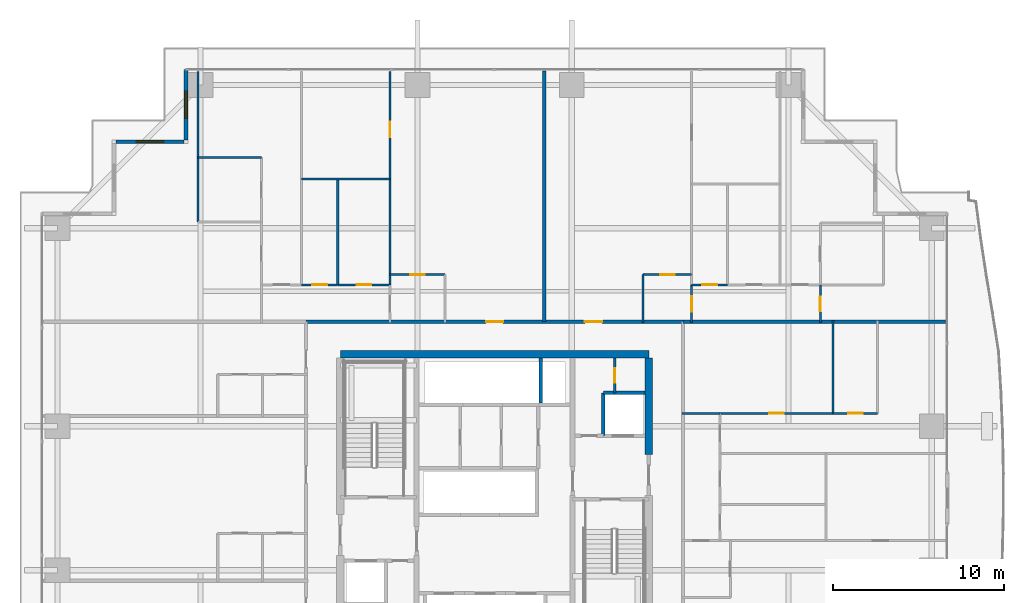
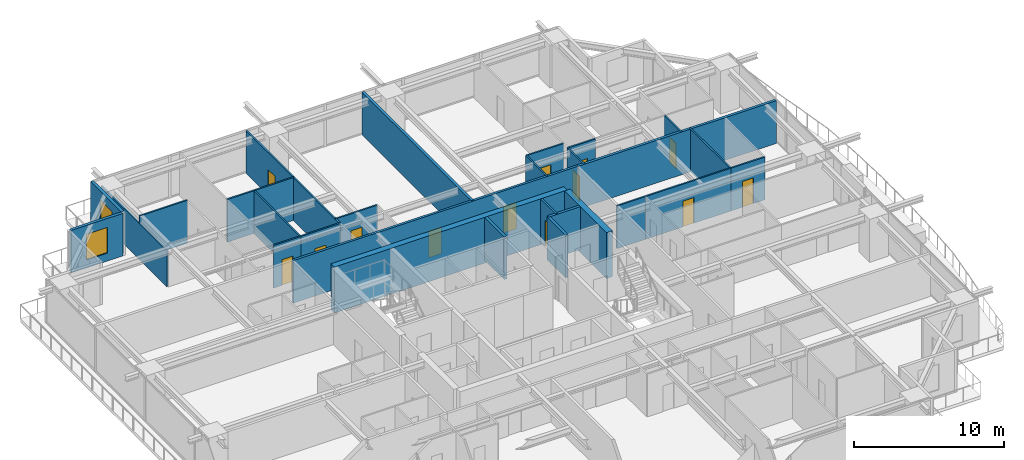
# One storey, part 31 of 39: 29 walls, 13 doors, 2 windows, 15 openings.
"""IFC4 building model written with IfcOpenShell, lengths in metres."""

from ifc_helpers import new_model, si_unit, direction, frame, frame_2d, origin, place, context, subcontext, project, spatial, rectangle, extrude, source, transform, mapped, material, layer, layer_set, type_object, element, fill, save


model = new_model("IFC4")

# Units and contexts
model_context = context("Model", 3, precision=1e-05, world=origin(), true_north=direction((0.0, 1.0)))
body_context = subcontext(model_context, "Body", "Model", "MODEL_VIEW")
ifc_project = project(units=[si_unit("LENGTHUNIT", "METRE"), si_unit("AREAUNIT", "SQUARE_METRE"), si_unit("VOLUMEUNIT", "CUBIC_METRE"), si_unit("PLANEANGLEUNIT", "RADIAN"), si_unit("MASSUNIT", "GRAM", prefix="KILO")], contexts=[model_context])

# Site, building, storey
site_placement = place(None, origin())
site = spatial("IfcSite", under=ifc_project, at=site_placement, CompositionType="ELEMENT")
building_placement = place(site_placement, origin())
building = spatial("IfcBuilding", under=site, at=building_placement, Name="Serunith Strait Residences", CompositionType="ELEMENT")
storey_placement = place(building_placement, frame((0.0, 0.0, 79.199951171875)))
storey = spatial("IfcBuildingStorey", under=building, at=storey_placement, Name="L19", CompositionType="ELEMENT", Elevation=79.199951171875)

# Wall, opening, window
ifc_material_1 = material(Name="Pale-Champagne Aluminium Insulated Panel", Category="aluminium")
ifc_layer_1 = layer(ifc_material_1, 0.219970703125, Name="Pale-Champagne Aluminium Insulated Panel")
ifc_layer_set_1 = layer_set([ifc_layer_1], Name="Pale-Champagne Aluminium Insulated Panel")
wall_type_1 = type_object("IfcWallType", Name="EW-ALUM-220", PredefinedType="ELEMENTEDWALL", material=ifc_layer_set_1)
wall_1_placement = place(storey_placement, frame((14.39990234375, 50.199951171875, 0.0), z_axis=(0.0, 0.0, 1.0), x_axis=(0.0, -1.0, 0.0)))
wall_1 = element("IfcWall", 1, at=wall_1_placement, inside=storey, type_object=wall_type_1, Name="L19 Girih Serrated Corner Wall 12", PredefinedType="ELEMENTEDWALL", context=body_context, shape_type="SweptSolid", body=[
    extrude(rectangle(XDim=4.08984375, YDim=0.219970703125, at=frame_2d((2.044921875, 0.0))), origin(), (0.0, 0.0, 1.0), 3.47509765625),
])
opening_1_placement = place(wall_1_placement, frame((1.2451171875, 0.0, 0.64990234375)))
opening_1 = element("IfcOpeningElement", 2, at=opening_1_placement, cuts=wall_1, Name="Opening W-02", PredefinedType="OPENING", context=body_context, shape_type="SweptSolid", body=[
    extrude(rectangle(XDim=1.60009765625, YDim=2.10009765625, at=frame_2d((0.800048828125, 1.050048828125))), frame((0.0, 0.1201171875, 0.0), z_axis=(0.0, -1.0, 0.0), x_axis=(1.0, 0.0, 0.0)), (0.0, 0.0, 1.0), 0.239990234375),
])
ifc_material_2 = material(Name="Ceramic-Fritted Operable Aluminium Window Glass", Category="aluminium")
window_type = type_object("IfcWindowType", Name="WIN-C2", PartitioningType="DOUBLE_PANEL_VERTICAL", PredefinedType="WINDOW", material=ifc_material_2)
shared_shape_1 = source(origin(), body_context, "Body", "SweptSolid", [
    extrude(rectangle(XDim=1.60009765625, YDim=2.10009765625, at=frame_2d((0.800048828125, 1.050048828125))), frame((0.0, 0.030029296875, 0.0), z_axis=(0.0, -1.0, 0.0), x_axis=(1.0, 0.0, 0.0)), (0.0, 0.0, 1.0), 0.06005859375),
])
window_1_placement = place(opening_1_placement, origin())
window_1 = element("IfcWindow", 3, at=window_1_placement, inside=storey, type_object=window_type, Name="L19 Corner Operable Fritted Window 12", OverallHeight=2.10009765625, OverallWidth=1.60009765625, PartitioningType="SINGLE_PANEL", PredefinedType="WINDOW", context=body_context, shape_type="MappedRepresentation", body=[
    mapped(shared_shape_1, transform((0.0, 0.0, 0.0), scale=1.0)),
])
fill(opening_1, window_1)

wall_2_placement = place(storey_placement, frame((14.2900390625, 46.0, 0.0), z_axis=(0.0, 0.0, 1.0), x_axis=(-1.0, 0.0, 0.0)))
wall_2 = element("IfcWall", 4, at=wall_2_placement, inside=storey, type_object=wall_type_1, Name="L19 Girih Serrated Corner Wall 13", PredefinedType="ELEMENTEDWALL", context=body_context, shape_type="SweptSolid", body=[
    extrude(rectangle(XDim=3.97998046875, YDim=0.219970703125, at=frame_2d((1.989990234375, 0.0))), origin(), (0.0, 0.0, 1.0), 3.47509765625),
])
opening_2_placement = place(wall_2_placement, frame((1.18994140625, 0.0, 0.64990234375)))
opening_2 = element("IfcOpeningElement", 5, at=opening_2_placement, cuts=wall_2, Name="Opening W-02", PredefinedType="OPENING", context=body_context, shape_type="SweptSolid", body=[
    extrude(rectangle(XDim=1.60009765625, YDim=2.10009765625, at=frame_2d((0.800048828125, 1.050048828125))), frame((0.0, 0.1201171875, 0.0), z_axis=(0.0, -1.0, 0.0), x_axis=(1.0, 0.0, 0.0)), (0.0, 0.0, 1.0), 0.239990234375),
])
window_2_placement = place(opening_2_placement, origin())
window_2 = element("IfcWindow", 6, at=window_2_placement, inside=storey, type_object=window_type, Name="L19 Corner Operable Fritted Window 13", OverallHeight=2.10009765625, OverallWidth=1.60009765625, PartitioningType="SINGLE_PANEL", PredefinedType="WINDOW", context=body_context, shape_type="MappedRepresentation", body=[
    mapped(shared_shape_1, transform((0.0, 0.0, 0.0), scale=1.0)),
])
fill(opening_2, window_2)

# Wall, opening, door
ifc_material_3 = material(Name="Fire-rated masonry service closet wall", Category="masonry")
ifc_layer_2 = layer(ifc_material_3, 0.14990234375, Name="Fire-rated masonry service closet wall")
ifc_layer_set_2 = layer_set([ifc_layer_2], Name="Fire-rated masonry service closet wall")
wall_type_2 = type_object("IfcWallType", Name="IW-BOH-150", PredefinedType="PARTITIONING", material=ifc_layer_set_2)
wall_3_placement = place(storey_placement, frame((39.39990234375, 31.35009765625, 0.0), z_axis=(0.0, 0.0, 1.0), x_axis=(0.0, 1.0, 0.0)))
wall_3 = element("IfcWall", 7, at=wall_3_placement, inside=storey, type_object=wall_type_2, Name="L19 Partition Wall 013", PredefinedType="PARTITIONING", context=body_context, shape_type="SweptSolid", body=[
    extrude(rectangle(XDim=2.02490234375, YDim=0.14990234375, at=frame_2d((1.012451171875, 0.0))), origin(), (0.0, 0.0, 1.0), 3.489990234375),
])
opening_3_placement = place(wall_3_placement, frame((0.5869140625, 0.0, 0.0)))
opening_3 = element("IfcOpeningElement", 8, at=opening_3_placement, cuts=wall_3, Name="Opening FD-850", PredefinedType="OPENING", context=body_context, shape_type="SweptSolid", body=[
    extrude(rectangle(XDim=0.85009765625, YDim=2.10009765625, at=frame_2d((0.425048828125, 1.050048828125))), frame((0.0, 0.0849609375, 0.0), z_axis=(0.0, -1.0, 0.0), x_axis=(1.0, 0.0, 0.0)), (0.0, 0.0, 1.0), 0.169921875),
])
ifc_material_4 = material(Name="Powder-coated steel service closet door", Category="steel")
door_type_1 = type_object("IfcDoorType", Name="FD-BOH-850", OperationType="NOTDEFINED", PredefinedType="DOOR", material=ifc_material_4)
shared_shape_2 = source(origin(), body_context, "Body", "SweptSolid", [
    extrude(rectangle(XDim=0.85009765625, YDim=2.10009765625, at=frame_2d((0.425048828125, 1.050048828125))), frame((0.0, 0.02490234375, 0.0), z_axis=(0.0, -1.0, 0.0), x_axis=(1.0, 0.0, 0.0)), (0.0, 0.0, 1.0), 0.050048828125),
])
door_1_placement = place(opening_3_placement, origin())
door_1 = element("IfcDoor", 9, at=door_1_placement, inside=storey, type_object=door_type_1, Name="L19 Janitor Store Door", OperationType="SINGLE_SWING_RIGHT", OverallHeight=2.10009765625, OverallWidth=0.85009765625, PredefinedType="DOOR", context=body_context, shape_type="MappedRepresentation", body=[
    mapped(shared_shape_2, transform((0.0, 0.0, 0.0), scale=1.0)),
])
fill(opening_3, door_1)

# Wall, openings, doors
ifc_material_5 = material(Name="Fire-rated acoustic gypsum partition")
ifc_layer_3 = layer(ifc_material_5, 0.179931640625, Name="Fire-rated acoustic gypsum partition")
ifc_layer_set_3 = layer_set([ifc_layer_3], Name="Fire-rated acoustic gypsum partition")
wall_type_3 = type_object("IfcWallType", Name="IW-CORR-180", PredefinedType="PARTITIONING", material=ifc_layer_set_3)
wall_4_placement = place(storey_placement, frame((21.402099609375, 35.5, 0.0), z_axis=(0.0, 0.0, 1.0), x_axis=(1.0, 0.0, 0.0)))
wall_4 = element("IfcWall", 10, at=wall_4_placement, inside=storey, type_object=wall_type_3, Name="L19 Partition Wall 026", PredefinedType="PARTITIONING", context=body_context, shape_type="SweptSolid", body=[
    extrude(rectangle(XDim=21.995849609375, YDim=0.179931640625, at=frame_2d((10.998046875, 0.0))), origin(), (0.0, 0.0, 1.0), 3.489990234375),
])
opening_4_placement = place(wall_4_placement, frame((10.498046875, 0.0, 0.0)))
opening_4 = element("IfcOpeningElement", 11, at=opening_4_placement, cuts=wall_4, Name="Opening D-APT1000", PredefinedType="OPENING", context=body_context, shape_type="SweptSolid", body=[
    extrude(rectangle(XDim=1.0, YDim=2.14990234375, at=frame_2d((0.5, 1.074951171875))), frame((0.0, 0.10009765625, 0.0), z_axis=(0.0, -1.0, 0.0), x_axis=(1.0, 0.0, 0.0)), (0.0, 0.0, 1.0), 0.199951171875),
])
opening_5_placement = place(wall_4_placement, frame((16.27197265625, 0.0, 0.0)))
opening_5 = element("IfcOpeningElement", 12, at=opening_5_placement, cuts=wall_4, Name="Opening D-APT1000", PredefinedType="OPENING", context=body_context, shape_type="SweptSolid", body=[
    extrude(rectangle(XDim=1.0, YDim=2.14990234375, at=frame_2d((0.5, 1.074951171875))), frame((0.0, 0.10009765625, 0.0), z_axis=(0.0, -1.0, 0.0), x_axis=(1.0, 0.0, 0.0)), (0.0, 0.0, 1.0), 0.199951171875),
])
ifc_material_6 = material(Name="Solid timber engineered fire door", Category="wood")
door_type_2 = type_object("IfcDoorType", Name="ID-APT-1000", OperationType="NOTDEFINED", PredefinedType="DOOR", material=ifc_material_6)
shared_shape_3 = source(origin(), body_context, "Body", "SweptSolid", [
    extrude(rectangle(XDim=1.0, YDim=2.14990234375, at=frame_2d((0.5, 1.074951171875))), frame((0.0, 0.02490234375, 0.0), z_axis=(0.0, -1.0, 0.0), x_axis=(1.0, 0.0, 0.0)), (0.0, 0.0, 1.0), 0.050048828125),
])
door_2_placement = place(opening_4_placement, origin())
door_2 = element("IfcDoor", 13, at=door_2_placement, inside=storey, type_object=door_type_2, Name="L19 Unit 03 Entrance Door", OperationType="SINGLE_SWING_RIGHT", OverallHeight=2.14990234375, OverallWidth=1.0, PredefinedType="DOOR", context=body_context, shape_type="MappedRepresentation", body=[
    mapped(shared_shape_3, transform((0.0, 0.0, 0.0), scale=1.0)),
])
fill(opening_4, door_2)
door_3_placement = place(opening_5_placement, origin())
door_3 = element("IfcDoor", 14, at=door_3_placement, inside=storey, type_object=door_type_2, Name="L19 Unit 04 Entrance Door", OperationType="SINGLE_SWING_LEFT", OverallHeight=2.14990234375, OverallWidth=1.0, PredefinedType="DOOR", context=body_context, shape_type="MappedRepresentation", body=[
    mapped(shared_shape_3, transform((0.0, 0.0, 0.0), scale=1.0)),
])
fill(opening_5, door_3)

# Wall, opening, door
ifc_material_7 = material(Name="Lightweight steel-stud gypsum partition", Category="steel")
ifc_layer_4 = layer(ifc_material_7, 0.1201171875, Name="Lightweight steel-stud gypsum partition")
ifc_layer_set_4 = layer_set([ifc_layer_4], Name="Lightweight steel-stud gypsum partition")
wall_type_4 = type_object("IfcWallType", Name="IW-PART-120", PredefinedType="PARTITIONING", material=ifc_layer_set_4)
wall_5_placement = place(storey_placement, frame((26.300048828125, 38.25, 0.0), z_axis=(0.0, 0.0, 1.0), x_axis=(1.0, 0.0, 0.0)))
wall_5 = element("IfcWall", 15, at=wall_5_placement, inside=storey, type_object=wall_type_4, Name="L19 Partition Wall 062", PredefinedType="PARTITIONING", context=body_context, shape_type="SweptSolid", body=[
    extrude(rectangle(XDim=3.199951171875, YDim=0.1201171875, at=frame_2d((1.60009765625, 0.0))), origin(), (0.0, 0.0, 1.0), 3.489990234375),
])
opening_6_placement = place(wall_5_placement, frame((1.175048828125, 0.0, 0.0)))
opening_6 = element("IfcOpeningElement", 16, at=opening_6_placement, cuts=wall_5, Name="Opening D-RM850", PredefinedType="OPENING", context=body_context, shape_type="SweptSolid", body=[
    extrude(rectangle(XDim=0.85009765625, YDim=2.10009765625, at=frame_2d((0.425048828125, 1.050048828125))), frame((0.0, 0.070068359375, 0.0), z_axis=(0.0, -1.0, 0.0), x_axis=(1.0, 0.0, 0.0)), (0.0, 0.0, 1.0), 0.14013671875),
])
ifc_material_8 = material(Name="Engineered timber flush study and kitchen door", Category="wood")
door_type_3 = type_object("IfcDoorType", Name="ID-ROOM-850", OperationType="NOTDEFINED", PredefinedType="DOOR", material=ifc_material_8)
door_4_placement = place(opening_6_placement, origin())
door_4 = element("IfcDoor", 17, at=door_4_placement, inside=storey, type_object=door_type_3, Name="L19 Kitchen 1903 Door", OperationType="SINGLE_SWING_RIGHT", OverallHeight=2.10009765625, OverallWidth=0.85009765625, PredefinedType="DOOR", context=body_context, shape_type="MappedRepresentation", body=[
    mapped(shared_shape_2, transform((0.0, 0.0, 0.0), scale=1.0)),
])
fill(opening_6, door_4)

wall_6_placement = place(storey_placement, frame((26.300048828125, 50.10498046875, 0.0), z_axis=(0.0, 0.0, 1.0), x_axis=(0.0, -1.0, 0.0)))
wall_6 = element("IfcWall", 18, at=wall_6_placement, inside=storey, type_object=wall_type_4, Name="L19 Partition Wall 065", PredefinedType="PARTITIONING", context=body_context, shape_type="SweptSolid", body=[
    extrude(rectangle(XDim=6.26904296875, YDim=0.1201171875, at=frame_2d((3.134521484375, 0.0))), origin(), (0.0, 0.0, 1.0), 3.489990234375),
])
opening_7_placement = place(wall_6_placement, frame((2.952880859375, 0.0, 0.0)))
opening_7 = element("IfcOpeningElement", 19, at=opening_7_placement, cuts=wall_6, Name="Opening D-RM900", PredefinedType="OPENING", context=body_context, shape_type="SweptSolid", body=[
    extrude(rectangle(XDim=0.89990234375, YDim=2.10009765625, at=frame_2d((0.449951171875, 1.050048828125))), frame((0.0, 0.070068359375, 0.0), z_axis=(0.0, -1.0, 0.0), x_axis=(1.0, 0.0, 0.0)), (0.0, 0.0, 1.0), 0.14013671875),
])
ifc_material_9 = material(Name="Engineered timber flush bedroom door", Category="wood")
door_type_4 = type_object("IfcDoorType", Name="ID-ROOM-900", OperationType="NOTDEFINED", PredefinedType="DOOR", material=ifc_material_9)
shared_shape_4 = source(origin(), body_context, "Body", "SweptSolid", [
    extrude(rectangle(XDim=0.89990234375, YDim=2.10009765625, at=frame_2d((0.449951171875, 1.050048828125))), frame((0.0, 0.02490234375, 0.0), z_axis=(0.0, -1.0, 0.0), x_axis=(1.0, 0.0, 0.0)), (0.0, 0.0, 1.0), 0.050048828125),
])
door_5_placement = place(opening_7_placement, origin())
door_5 = element("IfcDoor", 20, at=door_5_placement, inside=storey, type_object=door_type_4, Name="L19 Formal Dining Room 1 1903 Door", OperationType="SINGLE_SWING_RIGHT", OverallHeight=2.10009765625, OverallWidth=0.89990234375, PredefinedType="DOOR", context=body_context, shape_type="MappedRepresentation", body=[
    mapped(shared_shape_4, transform((0.0, 0.0, 0.0), scale=1.0)),
])
fill(opening_7, door_5)

# Walls
wall_7_placement = place(storey_placement, frame((26.300048828125, 43.833984375, 0.0), z_axis=(0.0, 0.0, 1.0), x_axis=(0.0, -1.0, 0.0)))
element("IfcWall", 21, at=wall_7_placement, inside=storey, type_object=wall_type_4, Name="L19 Partition Wall 066", PredefinedType="PARTITIONING", context=body_context, shape_type="SweptSolid", body=[
    extrude(rectangle(XDim=6.181884765625, YDim=0.1201171875, at=frame_2d((3.0908203125, 0.0))), origin(), (0.0, 0.0, 1.0), 3.489990234375),
])
wall_8_placement = place(storey_placement, frame((21.14990234375, 43.8359375, 0.0), z_axis=(0.0, 0.0, 1.0), x_axis=(1.0, 0.0, 0.0)))
element("IfcWall", 22, at=wall_8_placement, inside=storey, type_object=wall_type_4, Name="L19 Partition Wall 067", PredefinedType="PARTITIONING", context=body_context, shape_type="SweptSolid", body=[
    extrude(rectangle(XDim=5.150146484375, YDim=0.1201171875, at=frame_2d((2.5751953125, 0.0))), origin(), (0.0, 0.0, 1.0), 3.489990234375),
])
wall_9_placement = place(storey_placement, frame((23.25, 43.8359375, 0.0), z_axis=(0.0, 0.0, 1.0), x_axis=(0.0, -1.0, 0.0)))
element("IfcWall", 23, at=wall_9_placement, inside=storey, type_object=wall_type_4, Name="L19 Partition Wall 069", PredefinedType="PARTITIONING", context=body_context, shape_type="SweptSolid", body=[
    extrude(rectangle(XDim=6.18603515625, YDim=0.1201171875, at=frame_2d((3.093017578125, 0.0))), origin(), (0.0, 0.0, 1.0), 3.489990234375),
])

# Wall, opening, door
wall_10_placement = place(storey_placement, frame((21.14990234375, 37.64990234375, 0.0), z_axis=(0.0, 0.0, 1.0), x_axis=(1.0, 0.0, 0.0)))
wall_10 = element("IfcWall", 24, at=wall_10_placement, inside=storey, type_object=wall_type_4, Name="L19 Partition Wall 070", PredefinedType="PARTITIONING", context=body_context, shape_type="SweptSolid", body=[
    extrude(rectangle(XDim=2.10009765625, YDim=0.1201171875, at=frame_2d((1.050048828125, 0.0))), origin(), (0.0, 0.0, 1.0), 3.489990234375),
])
opening_8_placement = place(wall_10_placement, frame((0.625, 0.0, 0.0)))
opening_8 = element("IfcOpeningElement", 25, at=opening_8_placement, cuts=wall_10, Name="Opening D-BTH850", PredefinedType="OPENING", context=body_context, shape_type="SweptSolid", body=[
    extrude(rectangle(XDim=0.85009765625, YDim=2.10009765625, at=frame_2d((0.425048828125, 1.050048828125))), frame((0.0, 0.070068359375, 0.0), z_axis=(0.0, -1.0, 0.0), x_axis=(1.0, 0.0, 0.0)), (0.0, 0.0, 1.0), 0.14013671875),
])
ifc_material_10 = material(Name="Moisture-resistant timber bathroom door", Category="wood")
door_type_5 = type_object("IfcDoorType", Name="ID-BATH-850", OperationType="NOTDEFINED", PredefinedType="DOOR", material=ifc_material_10)
door_6_placement = place(opening_8_placement, origin())
door_6 = element("IfcDoor", 26, at=door_6_placement, inside=storey, type_object=door_type_5, Name="L19 Bathroom 1903 Door", OperationType="SINGLE_SWING_LEFT", OverallHeight=2.10009765625, OverallWidth=0.85009765625, PredefinedType="DOOR", context=body_context, shape_type="MappedRepresentation", body=[
    mapped(shared_shape_2, transform((0.0, 0.0, 0.0), scale=1.0)),
])
fill(opening_8, door_6)

wall_11_placement = place(storey_placement, frame((23.251953125, 37.64990234375, 0.0), z_axis=(0.0, 0.0, 1.0), x_axis=(1.0, 0.0, 0.0)))
wall_11 = element("IfcWall", 27, at=wall_11_placement, inside=storey, type_object=wall_type_4, Name="L19 Partition Wall 071", PredefinedType="PARTITIONING", context=body_context, shape_type="SweptSolid", body=[
    extrude(rectangle(XDim=3.048095703125, YDim=0.1201171875, at=frame_2d((1.52392578125, 0.0))), origin(), (0.0, 0.0, 1.0), 3.489990234375),
])
opening_9_placement = place(wall_11_placement, frame((1.09912109375, 0.0, 0.0)))
opening_9 = element("IfcOpeningElement", 28, at=opening_9_placement, cuts=wall_11, Name="Opening D-RM850", PredefinedType="OPENING", context=body_context, shape_type="SweptSolid", body=[
    extrude(rectangle(XDim=0.85009765625, YDim=2.10009765625, at=frame_2d((0.425048828125, 1.050048828125))), frame((0.0, 0.070068359375, 0.0), z_axis=(0.0, -1.0, 0.0), x_axis=(1.0, 0.0, 0.0)), (0.0, 0.0, 1.0), 0.14013671875),
])
door_7_placement = place(opening_9_placement, origin())
door_7 = element("IfcDoor", 29, at=door_7_placement, inside=storey, type_object=door_type_3, Name="L19 Formal Dining Room 1903 Door", OperationType="SINGLE_SWING_RIGHT", OverallHeight=2.10009765625, OverallWidth=0.85009765625, PredefinedType="DOOR", context=body_context, shape_type="MappedRepresentation", body=[
    mapped(shared_shape_2, transform((0.0, 0.0, 0.0), scale=1.0)),
])
fill(opening_9, door_7)

# Walls
wall_12_placement = place(storey_placement, frame((15.10009765625, 45.091064453125, 0.0), z_axis=(0.0, 0.0, 1.0), x_axis=(1.0, 0.0, 0.0)))
element("IfcWall", 30, at=wall_12_placement, inside=storey, type_object=wall_type_4, Name="L19 Partition Wall 073", PredefinedType="PARTITIONING", context=body_context, shape_type="SweptSolid", body=[
    extrude(rectangle(XDim=3.699951171875, YDim=0.1201171875, at=frame_2d((1.85009765625, 0.0))), origin(), (0.0, 0.0, 1.0), 3.489990234375),
])
wall_13_placement = place(storey_placement, frame((15.10009765625, 50.10498046875, 0.0), z_axis=(0.0, 0.0, 1.0), x_axis=(0.0, -1.0, 0.0)))
element("IfcWall", 31, at=wall_13_placement, inside=storey, type_object=wall_type_4, Name="L19 Partition Wall 074", PredefinedType="PARTITIONING", context=body_context, shape_type="SweptSolid", body=[
    extrude(rectangle(XDim=8.798095703125, YDim=0.1201171875, at=frame_2d((4.39892578125, 0.0))), origin(), (0.0, 0.0, 1.0), 2.922119140625),
])

# Wall, opening, door
wall_14_placement = place(storey_placement, frame((41.050048828125, 38.25, 0.0), z_axis=(0.0, 0.0, 1.0), x_axis=(1.0, 0.0, 0.0)))
wall_14 = element("IfcWall", 32, at=wall_14_placement, inside=storey, type_object=wall_type_4, Name="L19 Partition Wall 079", PredefinedType="PARTITIONING", context=body_context, shape_type="SweptSolid", body=[
    extrude(rectangle(XDim=2.849853515625, YDim=0.1201171875, at=frame_2d((1.4248046875, 0.0))), origin(), (0.0, 0.0, 1.0), 3.489990234375),
])
opening_10_placement = place(wall_14_placement, frame((1.0, 0.0, 0.0)))
opening_10 = element("IfcOpeningElement", 33, at=opening_10_placement, cuts=wall_14, Name="Opening D-RM850", PredefinedType="OPENING", context=body_context, shape_type="SweptSolid", body=[
    extrude(rectangle(XDim=0.85009765625, YDim=2.10009765625, at=frame_2d((0.425048828125, 1.050048828125))), frame((0.0, 0.070068359375, 0.0), z_axis=(0.0, -1.0, 0.0), x_axis=(1.0, 0.0, 0.0)), (0.0, 0.0, 1.0), 0.14013671875),
])
door_8_placement = place(opening_10_placement, origin())
door_8 = element("IfcDoor", 34, at=door_8_placement, inside=storey, type_object=door_type_3, Name="L19 Kitchen 1904 Door", OperationType="SINGLE_SWING_RIGHT", OverallHeight=2.10009765625, OverallWidth=0.85009765625, PredefinedType="DOOR", context=body_context, shape_type="MappedRepresentation", body=[
    mapped(shared_shape_2, transform((0.0, 0.0, 0.0), scale=1.0)),
])
fill(opening_10, door_8)

# Wall
wall_15_placement = place(storey_placement, frame((41.050048828125, 38.25, 0.0), z_axis=(0.0, 0.0, 1.0), x_axis=(0.0, -1.0, 0.0)))
element("IfcWall", 35, at=wall_15_placement, inside=storey, type_object=wall_type_4, Name="L19 Partition Wall 080", PredefinedType="PARTITIONING", context=body_context, shape_type="SweptSolid", body=[
    extrude(rectangle(XDim=2.81005859375, YDim=0.1201171875, at=frame_2d((1.405029296875, 0.0))), origin(), (0.0, 0.0, 1.0), 3.489990234375),
])

# Wall, opening, door
wall_16_placement = place(storey_placement, frame((43.89990234375, 37.64990234375, 0.0), z_axis=(0.0, 0.0, 1.0), x_axis=(0.0, -1.0, 0.0)))
wall_16 = element("IfcWall", 36, at=wall_16_placement, inside=storey, type_object=wall_type_4, Name="L19 Partition Wall 081", PredefinedType="PARTITIONING", context=body_context, shape_type="SweptSolid", body=[
    extrude(rectangle(XDim=2.2099609375, YDim=0.1201171875, at=frame_2d((1.10498046875, 0.0))), origin(), (0.0, 0.0, 1.0), 3.489990234375),
])
opening_11_placement = place(wall_16_placement, frame((0.655029296875, 0.0, 0.0)))
opening_11 = element("IfcOpeningElement", 37, at=opening_11_placement, cuts=wall_16, Name="Opening D-RM900", PredefinedType="OPENING", context=body_context, shape_type="SweptSolid", body=[
    extrude(rectangle(XDim=0.89990234375, YDim=2.10009765625, at=frame_2d((0.449951171875, 1.050048828125))), frame((0.0, 0.070068359375, 0.0), z_axis=(0.0, -1.0, 0.0), x_axis=(1.0, 0.0, 0.0)), (0.0, 0.0, 1.0), 0.14013671875),
])
door_9_placement = place(opening_11_placement, origin())
door_9 = element("IfcDoor", 38, at=door_9_placement, inside=storey, type_object=door_type_4, Name="L19 Hall E 1904 Door", OperationType="SINGLE_SWING_LEFT", OverallHeight=2.10009765625, OverallWidth=0.89990234375, PredefinedType="DOOR", context=body_context, shape_type="MappedRepresentation", body=[
    mapped(shared_shape_4, transform((0.0, 0.0, 0.0), scale=1.0)),
])
fill(opening_11, door_9)

wall_17_placement = place(storey_placement, frame((43.89990234375, 37.64990234375, 0.0), z_axis=(0.0, 0.0, 1.0), x_axis=(1.0, 0.0, 0.0)))
wall_17 = element("IfcWall", 39, at=wall_17_placement, inside=storey, type_object=wall_type_4, Name="L19 Partition Wall 087", PredefinedType="PARTITIONING", context=body_context, shape_type="SweptSolid", body=[
    extrude(rectangle(XDim=2.10009765625, YDim=0.1201171875, at=frame_2d((1.050048828125, 0.0))), origin(), (0.0, 0.0, 1.0), 3.489990234375),
])
opening_12_placement = place(wall_17_placement, frame((0.625, 0.0, 0.0)))
opening_12 = element("IfcOpeningElement", 40, at=opening_12_placement, cuts=wall_17, Name="Opening D-BTH850", PredefinedType="OPENING", context=body_context, shape_type="SweptSolid", body=[
    extrude(rectangle(XDim=0.85009765625, YDim=2.10009765625, at=frame_2d((0.425048828125, 1.050048828125))), frame((0.0, 0.070068359375, 0.0), z_axis=(0.0, -1.0, 0.0), x_axis=(1.0, 0.0, 0.0)), (0.0, 0.0, 1.0), 0.14013671875),
])
door_10_placement = place(opening_12_placement, origin())
door_10 = element("IfcDoor", 41, at=door_10_placement, inside=storey, type_object=door_type_5, Name="L19 Bathroom 1904 Door", OperationType="SINGLE_SWING_LEFT", OverallHeight=2.10009765625, OverallWidth=0.85009765625, PredefinedType="DOOR", context=body_context, shape_type="MappedRepresentation", body=[
    mapped(shared_shape_2, transform((0.0, 0.0, 0.0), scale=1.0)),
])
fill(opening_12, door_10)

wall_18_placement = place(storey_placement, frame((51.39990234375, 37.64794921875, 0.0), z_axis=(0.0, 0.0, 1.0), x_axis=(0.0, -1.0, 0.0)))
wall_18 = element("IfcWall", 42, at=wall_18_placement, inside=storey, type_object=wall_type_4, Name="L19 Partition Wall 094", PredefinedType="PARTITIONING", context=body_context, shape_type="SweptSolid", body=[
    extrude(rectangle(XDim=2.2080078125, YDim=0.1201171875, at=frame_2d((1.10400390625, 0.0))), origin(), (0.0, 0.0, 1.0), 3.489990234375),
])
opening_13_placement = place(wall_18_placement, frame((0.678955078125, 0.0, 0.0)))
opening_13 = element("IfcOpeningElement", 43, at=opening_13_placement, cuts=wall_18, Name="Opening D-RM850", PredefinedType="OPENING", context=body_context, shape_type="SweptSolid", body=[
    extrude(rectangle(XDim=0.85009765625, YDim=2.10009765625, at=frame_2d((0.425048828125, 1.050048828125))), frame((0.0, 0.070068359375, 0.0), z_axis=(0.0, -1.0, 0.0), x_axis=(1.0, 0.0, 0.0)), (0.0, 0.0, 1.0), 0.14013671875),
])
door_11_placement = place(opening_13_placement, origin())
door_11 = element("IfcDoor", 44, at=door_11_placement, inside=storey, type_object=door_type_3, Name="L19 Wardrobe E 1904 Door", OperationType="SINGLE_SWING_LEFT", OverallHeight=2.10009765625, OverallWidth=0.85009765625, PredefinedType="DOOR", context=body_context, shape_type="MappedRepresentation", body=[
    mapped(shared_shape_2, transform((0.0, 0.0, 0.0), scale=1.0)),
])
fill(opening_13, door_11)

# Wall
wall_19_placement = place(storey_placement, frame((52.133056640625, 30.14990234375, 0.0), z_axis=(0.0, 0.0, 1.0), x_axis=(0.0, 1.0, 0.0)))
element("IfcWall", 45, at=wall_19_placement, inside=storey, type_object=wall_type_4, Name="L19 Partition Wall 119", PredefinedType="PARTITIONING", context=body_context, shape_type="SweptSolid", body=[
    extrude(rectangle(XDim=5.41015625, YDim=0.1201171875, at=frame_2d((2.705078125, 0.0))), origin(), (0.0, 0.0, 1.0), 3.489990234375),
])

# Wall, opening, door
wall_20_placement = place(storey_placement, frame((54.75, 30.14990234375, 0.0), z_axis=(0.0, 0.0, 1.0), x_axis=(-1.0, 0.0, 0.0)))
wall_20 = element("IfcWall", 46, at=wall_20_placement, inside=storey, type_object=wall_type_4, Name="L19 Partition Wall 120", PredefinedType="PARTITIONING", context=body_context, shape_type="SweptSolid", body=[
    extrude(rectangle(XDim=2.616943359375, YDim=0.1201171875, at=frame_2d((1.30859375, 0.0))), origin(), (0.0, 0.0, 1.0), 3.489990234375),
])
opening_14_placement = place(wall_20_placement, frame((0.883056640625, 0.0, 0.0)))
opening_14 = element("IfcOpeningElement", 47, at=opening_14_placement, cuts=wall_20, Name="Opening D-BTH850", PredefinedType="OPENING", context=body_context, shape_type="SweptSolid", body=[
    extrude(rectangle(XDim=0.85009765625, YDim=2.10009765625, at=frame_2d((0.425048828125, 1.050048828125))), frame((0.0, 0.070068359375, 0.0), z_axis=(0.0, -1.0, 0.0), x_axis=(1.0, 0.0, 0.0)), (0.0, 0.0, 1.0), 0.14013671875),
])
door_12_placement = place(opening_14_placement, origin())
door_12 = element("IfcDoor", 48, at=door_12_placement, inside=storey, type_object=door_type_5, Name="L19 En-suite Bathroom E 1908 Door", OperationType="SINGLE_SWING_RIGHT", OverallHeight=2.10009765625, OverallWidth=0.85009765625, PredefinedType="DOOR", context=body_context, shape_type="MappedRepresentation", body=[
    mapped(shared_shape_2, transform((0.0, 0.0, 0.0), scale=1.0)),
])
fill(opening_14, door_12)

wall_21_placement = place(storey_placement, frame((52.131103515625, 30.14990234375, 0.0), z_axis=(0.0, 0.0, 1.0), x_axis=(-1.0, 0.0, 0.0)))
wall_21 = element("IfcWall", 49, at=wall_21_placement, inside=storey, type_object=wall_type_4, Name="L19 Partition Wall 121", PredefinedType="PARTITIONING", context=body_context, shape_type="SweptSolid", body=[
    extrude(rectangle(XDim=6.5810546875, YDim=0.1201171875, at=frame_2d((3.29052734375, 0.0))), origin(), (0.0, 0.0, 1.0), 3.489990234375),
])
opening_15_placement = place(wall_21_placement, frame((2.865966796875, 0.0, 0.0)))
opening_15 = element("IfcOpeningElement", 50, at=opening_15_placement, cuts=wall_21, Name="Opening D-RM850", PredefinedType="OPENING", context=body_context, shape_type="SweptSolid", body=[
    extrude(rectangle(XDim=0.85009765625, YDim=2.10009765625, at=frame_2d((0.425048828125, 1.050048828125))), frame((0.0, 0.070068359375, 0.0), z_axis=(0.0, -1.0, 0.0), x_axis=(1.0, 0.0, 0.0)), (0.0, 0.0, 1.0), 0.14013671875),
])
door_13_placement = place(opening_15_placement, origin())
door_13 = element("IfcDoor", 51, at=door_13_placement, inside=storey, type_object=door_type_3, Name="L19 Wardrobe E 1908 Door", OperationType="SINGLE_SWING_LEFT", OverallHeight=2.10009765625, OverallWidth=0.85009765625, PredefinedType="DOOR", context=body_context, shape_type="MappedRepresentation", body=[
    mapped(shared_shape_2, transform((0.0, 0.0, 0.0), scale=1.0)),
])
fill(opening_15, door_13)

# Walls
wall_22_placement = place(storey_placement, frame((45.548095703125, 30.14990234375, 0.0), z_axis=(0.0, 0.0, 1.0), x_axis=(-1.0, 0.0, 0.0)))
element("IfcWall", 52, at=wall_22_placement, inside=storey, type_object=wall_type_4, Name="L19 Partition Wall 122", PredefinedType="PARTITIONING", context=body_context, shape_type="SweptSolid", body=[
    extrude(rectangle(XDim=2.2080078125, YDim=0.1201171875, at=frame_2d((1.10400390625, 0.0))), origin(), (0.0, 0.0, 1.0), 3.489990234375),
])
ifc_material_11 = material(Name="Twin-stud acoustic gypsum board partition")
ifc_layer_5 = layer(ifc_material_11, 0.199951171875, Name="Twin-stud acoustic gypsum board partition")
ifc_layer_set_5 = layer_set([ifc_layer_5], Name="Twin-stud acoustic gypsum board partition")
wall_type_5 = type_object("IfcWallType", Name="IW-PARTY-200", PredefinedType="PARTITIONING", material=ifc_layer_set_5)
wall_23_placement = place(storey_placement, frame((35.300048828125, 35.5, 0.0), z_axis=(0.0, 0.0, 1.0), x_axis=(0.0, 1.0, 0.0)))
element("IfcWall", 53, at=wall_23_placement, inside=storey, type_object=wall_type_5, Name="L19 Partition Wall 018", PredefinedType="PARTITIONING", context=body_context, shape_type="SweptSolid", body=[
    extrude(rectangle(XDim=14.617919921875, YDim=0.199951171875, at=frame_2d((7.30908203125, 0.0))), origin(), (0.0, 0.0, 1.0), 3.489990234375),
])
wall_24_placement = place(storey_placement, frame((43.39990234375, 35.5, 0.0), z_axis=(0.0, 0.0, 1.0), x_axis=(1.0, 0.0, 0.0)))
element("IfcWall", 54, at=wall_24_placement, inside=storey, type_object=wall_type_5, Name="L19 Partition Wall 024", PredefinedType="PARTITIONING", context=body_context, shape_type="SweptSolid", body=[
    extrude(rectangle(XDim=15.318115234375, YDim=0.199951171875, at=frame_2d((7.6591796875, 0.0))), origin(), (0.0, 0.0, 1.0), 3.489990234375),
])
ifc_material_12 = material(Name="Autoclaved aerated concrete blockwork", Category="masonry")
ifc_layer_6 = layer(ifc_material_12, 0.199951171875, Name="Autoclaved aerated concrete blockwork")
ifc_layer_set_6 = layer_set([ifc_layer_6], Name="Autoclaved aerated concrete blockwork")
wall_type_6 = type_object("IfcWallType", Name="IW-SHAFT-200", PredefinedType="STANDARD", material=ifc_layer_set_6)
wall_25_placement = place(storey_placement, frame((35.10009765625, 30.75, 0.0), z_axis=(0.0, 0.0, 1.0), x_axis=(0.0, 1.0, 0.0)))
element("IfcWall", 55, at=wall_25_placement, inside=storey, type_object=wall_type_6, Name="L19 SL-1 West Shaft Wall", PredefinedType="STANDARD", context=body_context, shape_type="SweptSolid", body=[
    extrude(rectangle(XDim=2.625, YDim=0.199951171875, at=frame_2d((1.3125, 0.0))), origin(), (0.0, 0.0, 1.0), 3.489990234375),
])
wall_26_placement = place(storey_placement, frame((38.75, 28.85009765625, 0.0), z_axis=(0.0, 0.0, 1.0), x_axis=(0.0, 1.0, 0.0)))
element("IfcWall", 56, at=wall_26_placement, inside=storey, type_object=wall_type_6, Name="L19 Partition Wall 004", PredefinedType="STANDARD", context=body_context, shape_type="SweptSolid", body=[
    extrude(rectangle(XDim=2.5, YDim=0.199951171875, at=frame_2d((1.25, 0.0))), origin(), (0.0, 0.0, 1.0), 3.489990234375),
])
wall_27_placement = place(storey_placement, frame((38.75, 31.35009765625, 0.0), z_axis=(0.0, 0.0, 1.0), x_axis=(1.0, 0.0, 0.0)))
element("IfcWall", 57, at=wall_27_placement, inside=storey, type_object=wall_type_6, Name="L19 Partition Wall 005", PredefinedType="STANDARD", context=body_context, shape_type="SweptSolid", body=[
    extrude(rectangle(XDim=2.425048828125, YDim=0.199951171875, at=frame_2d((1.21240234375, 0.0))), origin(), (0.0, 0.0, 1.0), 3.489990234375),
])
ifc_material_13 = material(Name="Concrete C80/95", Category="concrete")
ifc_layer_7 = layer(ifc_material_13, 0.449951171875, Name="Concrete C80/95")
ifc_layer_set_7 = layer_set([ifc_layer_7], Name="Concrete C80/95")
wall_type_7 = type_object("IfcWallType", Name="SW-450-C80", PredefinedType="SHEAR", material=ifc_layer_set_7)
wall_28_placement = place(storey_placement, frame((41.39990234375, 33.60009765625, -0.260009765625), z_axis=(0.0, 0.0, 1.0), x_axis=(-1.0, 0.0, 0.0)))
element("IfcWall", 58, at=wall_28_placement, inside=storey, type_object=wall_type_7, Name="L19 Core North Shear Wall", PredefinedType="SHEAR", context=body_context, shape_type="SweptSolid", body=[
    extrude(rectangle(XDim=18.0, YDim=0.449951171875, at=frame_2d((9.0, 0.0))), origin(), (0.0, 0.0, 1.0), 3.748046875),
])
wall_29_placement = place(storey_placement, frame((41.39990234375, 27.75, -0.260009765625), z_axis=(0.0, 0.0, 1.0), x_axis=(0.0, 1.0, 0.0)))
element("IfcWall", 59, at=wall_29_placement, inside=storey, type_object=wall_type_7, Name="L19 Core East Shear Wall North Pier", PredefinedType="SHEAR", context=body_context, shape_type="SweptSolid", body=[
    extrude(rectangle(XDim=5.625, YDim=0.449951171875, at=frame_2d((2.8125, 0.0))), origin(), (0.0, 0.0, 1.0), 3.748046875),
])

save(model, "model.ifc")
